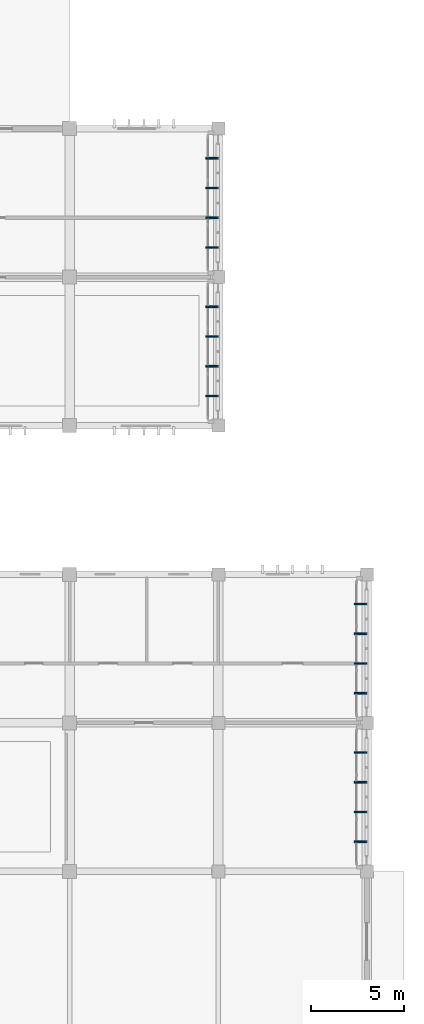
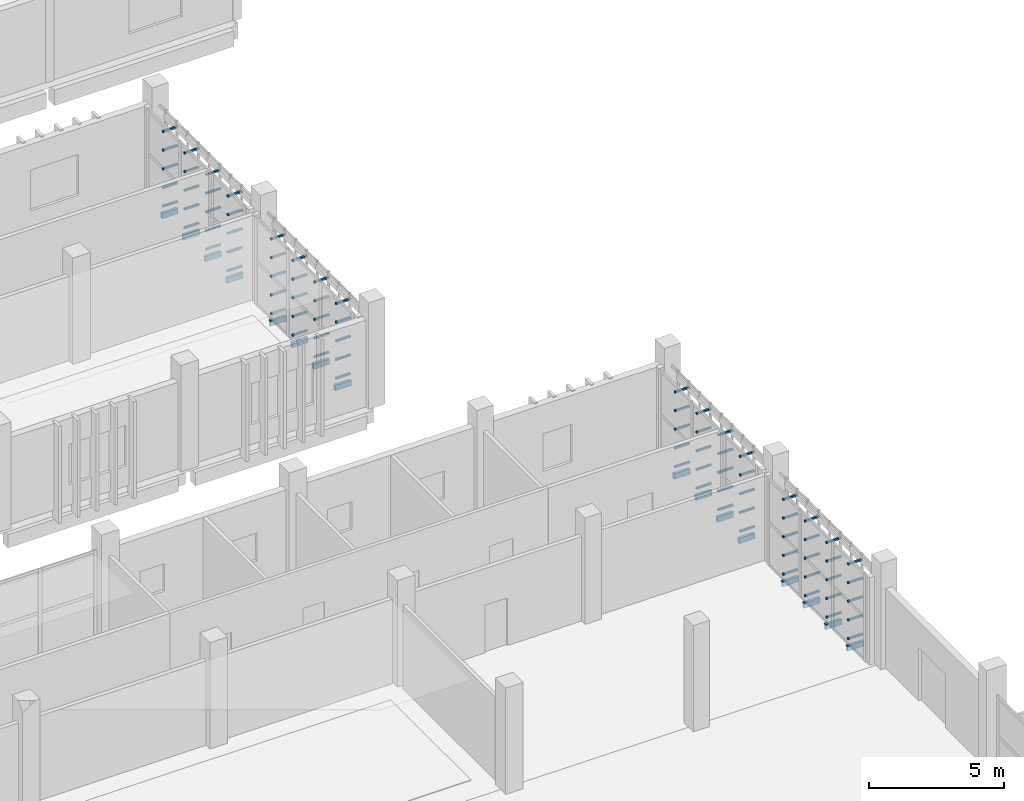
# One storey, part 103 of 117: 96 discrete accessories.
"""IFC4 building model written with IfcOpenShell, lengths in metres."""

from ifc_helpers import new_model, si_unit, direction, frame, origin, origin_2d, place, context, subcontext, project, spatial, rectangle, extrude, material, type_object, element, save


model = new_model("IFC4")

# Units and contexts
model_context = context("Model", 3, precision=1e-05, world=origin(), true_north=direction((0.0, 1.0)))
body_context = subcontext(model_context, "Body", "Model", "MODEL_VIEW")
ifc_project = project(units=[si_unit("LENGTHUNIT", "METRE"), si_unit("AREAUNIT", "SQUARE_METRE"), si_unit("VOLUMEUNIT", "CUBIC_METRE"), si_unit("PLANEANGLEUNIT", "RADIAN"), si_unit("MASSUNIT", "GRAM", prefix="KILO")], contexts=[model_context])

# Site, building, storey
site_placement = place(None, origin())
site = spatial("IfcSite", under=ifc_project, at=site_placement, CompositionType="ELEMENT")
building_placement = place(site_placement, origin())
building = spatial("IfcBuilding", under=site, at=building_placement, Name="Jelvoka-Kovrelna Polytechnic", CompositionType="ELEMENT")
storey_placement = place(building_placement, origin())
storey = spatial("IfcBuildingStorey", under=building, at=storey_placement, Name="L01", CompositionType="ELEMENT", Elevation=0.0)

# Discrete accessories
ifc_material = material(Name="Structural steel S355JR", Category="steel")
discrete_accessory_type = type_object("IfcDiscreteAccessoryType", Name="Bracket_Outrigger_S355", PredefinedType="BRACKET", material=ifc_material)
discrete_accessory_1_placement = place(storey_placement, frame((199.679931640625, 33.60009765625, 0.280029296875), z_axis=(0.0, 0.0, 1.0), x_axis=(1.0, 0.0, 0.0)))
element("IfcDiscreteAccessory", 1, at=discrete_accessory_1_placement, inside=storey, type_object=discrete_accessory_type, Name="L01 screen outrigger tie bracket BRKM-PLT-SCR-0461", PredefinedType="BRACKET", context=body_context, shape_type="SweptSolid", body=[
    extrude(rectangle(XDim=0.639892578125, YDim=0.080078125, at=origin_2d()), origin(), (0.0, 0.0, 1.0), 0.080078125),
])
discrete_accessory_2_placement = place(storey_placement, frame((199.659912109375, 33.60009765625, -0.2001953125), z_axis=(0.0, 0.0, 1.0), x_axis=(1.0, 0.0, 0.0)))
element("IfcDiscreteAccessory", 2, at=discrete_accessory_2_placement, inside=storey, type_object=discrete_accessory_type, Name="L01 screen outrigger tie bracket BRK-PLT-SCR-0461", PredefinedType="BRACKET", context=body_context, shape_type="SweptSolid", body=[
    extrude(rectangle(XDim=0.679931640625, YDim=0.1201171875, at=origin_2d()), origin(), (0.0, 0.0, 1.0), 0.239990234375),
])
for number, where, z_axis, x_axis, name in (
    (3, (199.679931640625, 33.60009765625, 1.12255859375), (0.0, 0.0, 1.0), (1.0, 0.0, 0.0), "L01 screen outrigger tie bracket BRKM-PLT-SCR-0462"),
    (4, (199.679931640625, 33.60009765625, 1.96484375), (0.0, 0.0, 1.0), (1.0, 0.0, 0.0), "L01 screen outrigger tie bracket BRKM-PLT-SCR-0463"),
    (5, (199.679931640625, 33.60009765625, 2.807373046875), (0.0, 0.0, 1.0), (1.0, 0.0, 0.0), "L01 screen outrigger tie bracket BRKM-PLT-SCR-0464"),
    (6, (199.679931640625, 33.60009765625, 3.64990234375), (0.0, 0.0, 1.0), (1.0, 0.0, 0.0), "L01 screen outrigger tie bracket BRKM-PLT-SCR-0465"),
    (7, (199.679931640625, 35.199951171875, 0.280029296875), (0.0, 0.0, 1.0), (1.0, 0.0, 0.0), "L01 screen outrigger tie bracket BRKM-PLT-SCR-0466"),
):
    element("IfcDiscreteAccessory", number, at=place(storey_placement, frame(where, z_axis=z_axis, x_axis=x_axis)), inside=storey, type_object=discrete_accessory_type, Name=name, PredefinedType="BRACKET", context=body_context, shape_type="SweptSolid", body=[
        extrude(rectangle(XDim=0.639892578125, YDim=0.080078125, at=origin_2d()), origin(), (0.0, 0.0, 1.0), 0.080078125),
    ])
discrete_accessory_3_placement = place(storey_placement, frame((199.659912109375, 35.199951171875, -0.2001953125), z_axis=(0.0, 0.0, 1.0), x_axis=(1.0, 0.0, 0.0)))
element("IfcDiscreteAccessory", 8, at=discrete_accessory_3_placement, inside=storey, type_object=discrete_accessory_type, Name="L01 screen outrigger tie bracket BRK-PLT-SCR-0466", PredefinedType="BRACKET", context=body_context, shape_type="SweptSolid", body=[
    extrude(rectangle(XDim=0.679931640625, YDim=0.1201171875, at=origin_2d()), origin(), (0.0, 0.0, 1.0), 0.239990234375),
])
for number, where, z_axis, x_axis, name in (
    (9, (199.679931640625, 35.199951171875, 1.12255859375), (0.0, 0.0, 1.0), (1.0, 0.0, 0.0), "L01 screen outrigger tie bracket BRKM-PLT-SCR-0467"),
    (10, (199.679931640625, 35.199951171875, 1.96484375), (0.0, 0.0, 1.0), (1.0, 0.0, 0.0), "L01 screen outrigger tie bracket BRKM-PLT-SCR-0468"),
    (11, (199.679931640625, 35.199951171875, 2.807373046875), (0.0, 0.0, 1.0), (1.0, 0.0, 0.0), "L01 screen outrigger tie bracket BRKM-PLT-SCR-0469"),
    (12, (199.679931640625, 35.199951171875, 3.64990234375), (0.0, 0.0, 1.0), (1.0, 0.0, 0.0), "L01 screen outrigger tie bracket BRKM-PLT-SCR-0470"),
    (13, (199.679931640625, 36.800048828125, 0.280029296875), (0.0, 0.0, 1.0), (1.0, 0.0, 0.0), "L01 screen outrigger tie bracket BRKM-PLT-SCR-0471"),
):
    element("IfcDiscreteAccessory", number, at=place(storey_placement, frame(where, z_axis=z_axis, x_axis=x_axis)), inside=storey, type_object=discrete_accessory_type, Name=name, PredefinedType="BRACKET", context=body_context, shape_type="SweptSolid", body=[
        extrude(rectangle(XDim=0.639892578125, YDim=0.080078125, at=origin_2d()), origin(), (0.0, 0.0, 1.0), 0.080078125),
    ])
discrete_accessory_4_placement = place(storey_placement, frame((199.659912109375, 36.800048828125, -0.2001953125), z_axis=(0.0, 0.0, 1.0), x_axis=(1.0, 0.0, 0.0)))
element("IfcDiscreteAccessory", 14, at=discrete_accessory_4_placement, inside=storey, type_object=discrete_accessory_type, Name="L01 screen outrigger tie bracket BRK-PLT-SCR-0471", PredefinedType="BRACKET", context=body_context, shape_type="SweptSolid", body=[
    extrude(rectangle(XDim=0.679931640625, YDim=0.1201171875, at=origin_2d()), origin(), (0.0, 0.0, 1.0), 0.239990234375),
])
for number, where, z_axis, x_axis, name in (
    (15, (199.679931640625, 36.800048828125, 1.12255859375), (0.0, 0.0, 1.0), (1.0, 0.0, 0.0), "L01 screen outrigger tie bracket BRKM-PLT-SCR-0472"),
    (16, (199.679931640625, 36.800048828125, 1.96484375), (0.0, 0.0, 1.0), (1.0, 0.0, 0.0), "L01 screen outrigger tie bracket BRKM-PLT-SCR-0473"),
    (17, (199.679931640625, 36.800048828125, 2.807373046875), (0.0, 0.0, 1.0), (1.0, 0.0, 0.0), "L01 screen outrigger tie bracket BRKM-PLT-SCR-0474"),
    (18, (199.679931640625, 36.800048828125, 3.64990234375), (0.0, 0.0, 1.0), (1.0, 0.0, 0.0), "L01 screen outrigger tie bracket BRKM-PLT-SCR-0475"),
    (19, (199.679931640625, 38.39990234375, 0.280029296875), (0.0, 0.0, 1.0), (1.0, 0.0, 0.0), "L01 screen outrigger tie bracket BRKM-PLT-SCR-0476"),
):
    element("IfcDiscreteAccessory", number, at=place(storey_placement, frame(where, z_axis=z_axis, x_axis=x_axis)), inside=storey, type_object=discrete_accessory_type, Name=name, PredefinedType="BRACKET", context=body_context, shape_type="SweptSolid", body=[
        extrude(rectangle(XDim=0.639892578125, YDim=0.080078125, at=origin_2d()), origin(), (0.0, 0.0, 1.0), 0.080078125),
    ])
discrete_accessory_5_placement = place(storey_placement, frame((199.659912109375, 38.39990234375, -0.2001953125), z_axis=(0.0, 0.0, 1.0), x_axis=(1.0, 0.0, 0.0)))
element("IfcDiscreteAccessory", 20, at=discrete_accessory_5_placement, inside=storey, type_object=discrete_accessory_type, Name="L01 screen outrigger tie bracket BRK-PLT-SCR-0476", PredefinedType="BRACKET", context=body_context, shape_type="SweptSolid", body=[
    extrude(rectangle(XDim=0.679931640625, YDim=0.1201171875, at=origin_2d()), origin(), (0.0, 0.0, 1.0), 0.239990234375),
])
for number, where, z_axis, x_axis, name in (
    (21, (199.679931640625, 38.39990234375, 1.12255859375), (0.0, 0.0, 1.0), (1.0, 0.0, 0.0), "L01 screen outrigger tie bracket BRKM-PLT-SCR-0477"),
    (22, (199.679931640625, 38.39990234375, 1.96484375), (0.0, 0.0, 1.0), (1.0, 0.0, 0.0), "L01 screen outrigger tie bracket BRKM-PLT-SCR-0478"),
    (23, (199.679931640625, 38.39990234375, 2.807373046875), (0.0, 0.0, 1.0), (1.0, 0.0, 0.0), "L01 screen outrigger tie bracket BRKM-PLT-SCR-0479"),
    (24, (199.679931640625, 38.39990234375, 3.64990234375), (0.0, 0.0, 1.0), (1.0, 0.0, 0.0), "L01 screen outrigger tie bracket BRKM-PLT-SCR-0480"),
    (25, (199.679931640625, 41.60009765625, 0.280029296875), (0.0, 0.0, 1.0), (1.0, 0.0, 0.0), "L01 screen outrigger tie bracket BRKM-PLT-SCR-0481"),
):
    element("IfcDiscreteAccessory", number, at=place(storey_placement, frame(where, z_axis=z_axis, x_axis=x_axis)), inside=storey, type_object=discrete_accessory_type, Name=name, PredefinedType="BRACKET", context=body_context, shape_type="SweptSolid", body=[
        extrude(rectangle(XDim=0.639892578125, YDim=0.080078125, at=origin_2d()), origin(), (0.0, 0.0, 1.0), 0.080078125),
    ])
discrete_accessory_6_placement = place(storey_placement, frame((199.659912109375, 41.60009765625, -0.2001953125), z_axis=(0.0, 0.0, 1.0), x_axis=(1.0, 0.0, 0.0)))
element("IfcDiscreteAccessory", 26, at=discrete_accessory_6_placement, inside=storey, type_object=discrete_accessory_type, Name="L01 screen outrigger tie bracket BRK-PLT-SCR-0481", PredefinedType="BRACKET", context=body_context, shape_type="SweptSolid", body=[
    extrude(rectangle(XDim=0.679931640625, YDim=0.1201171875, at=origin_2d()), origin(), (0.0, 0.0, 1.0), 0.239990234375),
])
for number, where, z_axis, x_axis, name in (
    (27, (199.679931640625, 41.60009765625, 1.12255859375), (0.0, 0.0, 1.0), (1.0, 0.0, 0.0), "L01 screen outrigger tie bracket BRKM-PLT-SCR-0482"),
    (28, (199.679931640625, 41.60009765625, 1.96484375), (0.0, 0.0, 1.0), (1.0, 0.0, 0.0), "L01 screen outrigger tie bracket BRKM-PLT-SCR-0483"),
    (29, (199.679931640625, 41.60009765625, 2.807373046875), (0.0, 0.0, 1.0), (1.0, 0.0, 0.0), "L01 screen outrigger tie bracket BRKM-PLT-SCR-0484"),
    (30, (199.679931640625, 41.60009765625, 3.64990234375), (0.0, 0.0, 1.0), (1.0, 0.0, 0.0), "L01 screen outrigger tie bracket BRKM-PLT-SCR-0485"),
    (31, (199.679931640625, 43.199951171875, 0.280029296875), (0.0, 0.0, 1.0), (1.0, 0.0, 0.0), "L01 screen outrigger tie bracket BRKM-PLT-SCR-0486"),
):
    element("IfcDiscreteAccessory", number, at=place(storey_placement, frame(where, z_axis=z_axis, x_axis=x_axis)), inside=storey, type_object=discrete_accessory_type, Name=name, PredefinedType="BRACKET", context=body_context, shape_type="SweptSolid", body=[
        extrude(rectangle(XDim=0.639892578125, YDim=0.080078125, at=origin_2d()), origin(), (0.0, 0.0, 1.0), 0.080078125),
    ])
discrete_accessory_7_placement = place(storey_placement, frame((199.659912109375, 43.199951171875, -0.2001953125), z_axis=(0.0, 0.0, 1.0), x_axis=(1.0, 0.0, 0.0)))
element("IfcDiscreteAccessory", 32, at=discrete_accessory_7_placement, inside=storey, type_object=discrete_accessory_type, Name="L01 screen outrigger tie bracket BRK-PLT-SCR-0486", PredefinedType="BRACKET", context=body_context, shape_type="SweptSolid", body=[
    extrude(rectangle(XDim=0.679931640625, YDim=0.1201171875, at=origin_2d()), origin(), (0.0, 0.0, 1.0), 0.239990234375),
])
for number, where, z_axis, x_axis, name in (
    (33, (199.679931640625, 43.199951171875, 1.12255859375), (0.0, 0.0, 1.0), (1.0, 0.0, 0.0), "L01 screen outrigger tie bracket BRKM-PLT-SCR-0487"),
    (34, (199.679931640625, 43.199951171875, 1.96484375), (0.0, 0.0, 1.0), (1.0, 0.0, 0.0), "L01 screen outrigger tie bracket BRKM-PLT-SCR-0488"),
    (35, (199.679931640625, 43.199951171875, 2.807373046875), (0.0, 0.0, 1.0), (1.0, 0.0, 0.0), "L01 screen outrigger tie bracket BRKM-PLT-SCR-0489"),
    (36, (199.679931640625, 43.199951171875, 3.64990234375), (0.0, 0.0, 1.0), (1.0, 0.0, 0.0), "L01 screen outrigger tie bracket BRKM-PLT-SCR-0490"),
    (37, (199.679931640625, 44.800048828125, 0.280029296875), (0.0, 0.0, 1.0), (1.0, 0.0, 0.0), "L01 screen outrigger tie bracket BRKM-PLT-SCR-0491"),
):
    element("IfcDiscreteAccessory", number, at=place(storey_placement, frame(where, z_axis=z_axis, x_axis=x_axis)), inside=storey, type_object=discrete_accessory_type, Name=name, PredefinedType="BRACKET", context=body_context, shape_type="SweptSolid", body=[
        extrude(rectangle(XDim=0.639892578125, YDim=0.080078125, at=origin_2d()), origin(), (0.0, 0.0, 1.0), 0.080078125),
    ])
discrete_accessory_8_placement = place(storey_placement, frame((199.659912109375, 44.800048828125, -0.2001953125), z_axis=(0.0, 0.0, 1.0), x_axis=(1.0, 0.0, 0.0)))
element("IfcDiscreteAccessory", 38, at=discrete_accessory_8_placement, inside=storey, type_object=discrete_accessory_type, Name="L01 screen outrigger tie bracket BRK-PLT-SCR-0491", PredefinedType="BRACKET", context=body_context, shape_type="SweptSolid", body=[
    extrude(rectangle(XDim=0.679931640625, YDim=0.1201171875, at=origin_2d()), origin(), (0.0, 0.0, 1.0), 0.239990234375),
])
for number, where, z_axis, x_axis, name in (
    (39, (199.679931640625, 44.800048828125, 1.12255859375), (0.0, 0.0, 1.0), (1.0, 0.0, 0.0), "L01 screen outrigger tie bracket BRKM-PLT-SCR-0492"),
    (40, (199.679931640625, 44.800048828125, 1.96484375), (0.0, 0.0, 1.0), (1.0, 0.0, 0.0), "L01 screen outrigger tie bracket BRKM-PLT-SCR-0493"),
    (41, (199.679931640625, 44.800048828125, 2.807373046875), (0.0, 0.0, 1.0), (1.0, 0.0, 0.0), "L01 screen outrigger tie bracket BRKM-PLT-SCR-0494"),
    (42, (199.679931640625, 44.800048828125, 3.64990234375), (0.0, 0.0, 1.0), (1.0, 0.0, 0.0), "L01 screen outrigger tie bracket BRKM-PLT-SCR-0495"),
    (43, (199.679931640625, 46.39990234375, 0.280029296875), (0.0, 0.0, 1.0), (1.0, 0.0, 0.0), "L01 screen outrigger tie bracket BRKM-PLT-SCR-0496"),
):
    element("IfcDiscreteAccessory", number, at=place(storey_placement, frame(where, z_axis=z_axis, x_axis=x_axis)), inside=storey, type_object=discrete_accessory_type, Name=name, PredefinedType="BRACKET", context=body_context, shape_type="SweptSolid", body=[
        extrude(rectangle(XDim=0.639892578125, YDim=0.080078125, at=origin_2d()), origin(), (0.0, 0.0, 1.0), 0.080078125),
    ])
discrete_accessory_9_placement = place(storey_placement, frame((199.659912109375, 46.39990234375, -0.2001953125), z_axis=(0.0, 0.0, 1.0), x_axis=(1.0, 0.0, 0.0)))
element("IfcDiscreteAccessory", 44, at=discrete_accessory_9_placement, inside=storey, type_object=discrete_accessory_type, Name="L01 screen outrigger tie bracket BRK-PLT-SCR-0496", PredefinedType="BRACKET", context=body_context, shape_type="SweptSolid", body=[
    extrude(rectangle(XDim=0.679931640625, YDim=0.1201171875, at=origin_2d()), origin(), (0.0, 0.0, 1.0), 0.239990234375),
])
for number, where, z_axis, x_axis, name in (
    (45, (199.679931640625, 46.39990234375, 1.12255859375), (0.0, 0.0, 1.0), (1.0, 0.0, 0.0), "L01 screen outrigger tie bracket BRKM-PLT-SCR-0497"),
    (46, (199.679931640625, 46.39990234375, 1.96484375), (0.0, 0.0, 1.0), (1.0, 0.0, 0.0), "L01 screen outrigger tie bracket BRKM-PLT-SCR-0498"),
    (47, (199.679931640625, 46.39990234375, 2.807373046875), (0.0, 0.0, 1.0), (1.0, 0.0, 0.0), "L01 screen outrigger tie bracket BRKM-PLT-SCR-0499"),
    (48, (199.679931640625, 46.39990234375, 3.64990234375), (0.0, 0.0, 1.0), (1.0, 0.0, 0.0), "L01 screen outrigger tie bracket BRKM-PLT-SCR-0500"),
    (49, (191.679931640625, 57.60009765625, 0.280029296875), (0.0, 0.0, 1.0), (1.0, 0.0, 0.0), "L01 screen outrigger tie bracket BRKM-PLT-SCR-0961"),
):
    element("IfcDiscreteAccessory", number, at=place(storey_placement, frame(where, z_axis=z_axis, x_axis=x_axis)), inside=storey, type_object=discrete_accessory_type, Name=name, PredefinedType="BRACKET", context=body_context, shape_type="SweptSolid", body=[
        extrude(rectangle(XDim=0.639892578125, YDim=0.080078125, at=origin_2d()), origin(), (0.0, 0.0, 1.0), 0.080078125),
    ])
discrete_accessory_10_placement = place(storey_placement, frame((191.659912109375, 57.60009765625, -0.2001953125), z_axis=(0.0, 0.0, 1.0), x_axis=(1.0, 0.0, 0.0)))
element("IfcDiscreteAccessory", 50, at=discrete_accessory_10_placement, inside=storey, type_object=discrete_accessory_type, Name="L01 screen outrigger tie bracket BRK-PLT-SCR-0961", PredefinedType="BRACKET", context=body_context, shape_type="SweptSolid", body=[
    extrude(rectangle(XDim=0.679931640625, YDim=0.1201171875, at=origin_2d()), origin(), (0.0, 0.0, 1.0), 0.239990234375),
])
for number, where, z_axis, x_axis, name in (
    (51, (191.679931640625, 57.60009765625, 1.12255859375), (0.0, 0.0, 1.0), (1.0, 0.0, 0.0), "L01 screen outrigger tie bracket BRKM-PLT-SCR-0962"),
    (52, (191.679931640625, 57.60009765625, 1.96484375), (0.0, 0.0, 1.0), (1.0, 0.0, 0.0), "L01 screen outrigger tie bracket BRKM-PLT-SCR-0963"),
    (53, (191.679931640625, 57.60009765625, 2.807373046875), (0.0, 0.0, 1.0), (1.0, 0.0, 0.0), "L01 screen outrigger tie bracket BRKM-PLT-SCR-0964"),
    (54, (191.679931640625, 57.60009765625, 3.64990234375), (0.0, 0.0, 1.0), (1.0, 0.0, 0.0), "L01 screen outrigger tie bracket BRKM-PLT-SCR-0965"),
    (55, (191.679931640625, 59.199951171875, 0.280029296875), (0.0, 0.0, 1.0), (1.0, 0.0, 0.0), "L01 screen outrigger tie bracket BRKM-PLT-SCR-0966"),
):
    element("IfcDiscreteAccessory", number, at=place(storey_placement, frame(where, z_axis=z_axis, x_axis=x_axis)), inside=storey, type_object=discrete_accessory_type, Name=name, PredefinedType="BRACKET", context=body_context, shape_type="SweptSolid", body=[
        extrude(rectangle(XDim=0.639892578125, YDim=0.080078125, at=origin_2d()), origin(), (0.0, 0.0, 1.0), 0.080078125),
    ])
discrete_accessory_11_placement = place(storey_placement, frame((191.659912109375, 59.199951171875, -0.2001953125), z_axis=(0.0, 0.0, 1.0), x_axis=(1.0, 0.0, 0.0)))
element("IfcDiscreteAccessory", 56, at=discrete_accessory_11_placement, inside=storey, type_object=discrete_accessory_type, Name="L01 screen outrigger tie bracket BRK-PLT-SCR-0966", PredefinedType="BRACKET", context=body_context, shape_type="SweptSolid", body=[
    extrude(rectangle(XDim=0.679931640625, YDim=0.1201171875, at=origin_2d()), origin(), (0.0, 0.0, 1.0), 0.239990234375),
])
for number, where, z_axis, x_axis, name in (
    (57, (191.679931640625, 59.199951171875, 1.12255859375), (0.0, 0.0, 1.0), (1.0, 0.0, 0.0), "L01 screen outrigger tie bracket BRKM-PLT-SCR-0967"),
    (58, (191.679931640625, 59.199951171875, 1.96484375), (0.0, 0.0, 1.0), (1.0, 0.0, 0.0), "L01 screen outrigger tie bracket BRKM-PLT-SCR-0968"),
    (59, (191.679931640625, 59.199951171875, 2.807373046875), (0.0, 0.0, 1.0), (1.0, 0.0, 0.0), "L01 screen outrigger tie bracket BRKM-PLT-SCR-0969"),
    (60, (191.679931640625, 59.199951171875, 3.64990234375), (0.0, 0.0, 1.0), (1.0, 0.0, 0.0), "L01 screen outrigger tie bracket BRKM-PLT-SCR-0970"),
    (61, (191.679931640625, 60.800048828125, 0.280029296875), (0.0, 0.0, 1.0), (1.0, 0.0, 0.0), "L01 screen outrigger tie bracket BRKM-PLT-SCR-0971"),
):
    element("IfcDiscreteAccessory", number, at=place(storey_placement, frame(where, z_axis=z_axis, x_axis=x_axis)), inside=storey, type_object=discrete_accessory_type, Name=name, PredefinedType="BRACKET", context=body_context, shape_type="SweptSolid", body=[
        extrude(rectangle(XDim=0.639892578125, YDim=0.080078125, at=origin_2d()), origin(), (0.0, 0.0, 1.0), 0.080078125),
    ])
discrete_accessory_12_placement = place(storey_placement, frame((191.659912109375, 60.800048828125, -0.2001953125), z_axis=(0.0, 0.0, 1.0), x_axis=(1.0, 0.0, 0.0)))
element("IfcDiscreteAccessory", 62, at=discrete_accessory_12_placement, inside=storey, type_object=discrete_accessory_type, Name="L01 screen outrigger tie bracket BRK-PLT-SCR-0971", PredefinedType="BRACKET", context=body_context, shape_type="SweptSolid", body=[
    extrude(rectangle(XDim=0.679931640625, YDim=0.1201171875, at=origin_2d()), origin(), (0.0, 0.0, 1.0), 0.239990234375),
])
for number, where, z_axis, x_axis, name in (
    (63, (191.679931640625, 60.800048828125, 1.12255859375), (0.0, 0.0, 1.0), (1.0, 0.0, 0.0), "L01 screen outrigger tie bracket BRKM-PLT-SCR-0972"),
    (64, (191.679931640625, 60.800048828125, 1.96484375), (0.0, 0.0, 1.0), (1.0, 0.0, 0.0), "L01 screen outrigger tie bracket BRKM-PLT-SCR-0973"),
    (65, (191.679931640625, 60.800048828125, 2.807373046875), (0.0, 0.0, 1.0), (1.0, 0.0, 0.0), "L01 screen outrigger tie bracket BRKM-PLT-SCR-0974"),
    (66, (191.679931640625, 60.800048828125, 3.64990234375), (0.0, 0.0, 1.0), (1.0, 0.0, 0.0), "L01 screen outrigger tie bracket BRKM-PLT-SCR-0975"),
    (67, (191.679931640625, 62.39990234375, 0.280029296875), (0.0, 0.0, 1.0), (1.0, 0.0, 0.0), "L01 screen outrigger tie bracket BRKM-PLT-SCR-0976"),
):
    element("IfcDiscreteAccessory", number, at=place(storey_placement, frame(where, z_axis=z_axis, x_axis=x_axis)), inside=storey, type_object=discrete_accessory_type, Name=name, PredefinedType="BRACKET", context=body_context, shape_type="SweptSolid", body=[
        extrude(rectangle(XDim=0.639892578125, YDim=0.080078125, at=origin_2d()), origin(), (0.0, 0.0, 1.0), 0.080078125),
    ])
discrete_accessory_13_placement = place(storey_placement, frame((191.659912109375, 62.39990234375, -0.2001953125), z_axis=(0.0, 0.0, 1.0), x_axis=(1.0, 0.0, 0.0)))
element("IfcDiscreteAccessory", 68, at=discrete_accessory_13_placement, inside=storey, type_object=discrete_accessory_type, Name="L01 screen outrigger tie bracket BRK-PLT-SCR-0976", PredefinedType="BRACKET", context=body_context, shape_type="SweptSolid", body=[
    extrude(rectangle(XDim=0.679931640625, YDim=0.1201171875, at=origin_2d()), origin(), (0.0, 0.0, 1.0), 0.239990234375),
])
for number, where, z_axis, x_axis, name in (
    (69, (191.679931640625, 62.39990234375, 1.12255859375), (0.0, 0.0, 1.0), (1.0, 0.0, 0.0), "L01 screen outrigger tie bracket BRKM-PLT-SCR-0977"),
    (70, (191.679931640625, 62.39990234375, 1.96484375), (0.0, 0.0, 1.0), (1.0, 0.0, 0.0), "L01 screen outrigger tie bracket BRKM-PLT-SCR-0978"),
    (71, (191.679931640625, 62.39990234375, 2.807373046875), (0.0, 0.0, 1.0), (1.0, 0.0, 0.0), "L01 screen outrigger tie bracket BRKM-PLT-SCR-0979"),
    (72, (191.679931640625, 62.39990234375, 3.64990234375), (0.0, 0.0, 1.0), (1.0, 0.0, 0.0), "L01 screen outrigger tie bracket BRKM-PLT-SCR-0980"),
    (73, (191.679931640625, 65.60009765625, 0.280029296875), (0.0, 0.0, 1.0), (1.0, 0.0, 0.0), "L01 screen outrigger tie bracket BRKM-PLT-SCR-0981"),
):
    element("IfcDiscreteAccessory", number, at=place(storey_placement, frame(where, z_axis=z_axis, x_axis=x_axis)), inside=storey, type_object=discrete_accessory_type, Name=name, PredefinedType="BRACKET", context=body_context, shape_type="SweptSolid", body=[
        extrude(rectangle(XDim=0.639892578125, YDim=0.080078125, at=origin_2d()), origin(), (0.0, 0.0, 1.0), 0.080078125),
    ])
discrete_accessory_14_placement = place(storey_placement, frame((191.659912109375, 65.60009765625, -0.2001953125), z_axis=(0.0, 0.0, 1.0), x_axis=(1.0, 0.0, 0.0)))
element("IfcDiscreteAccessory", 74, at=discrete_accessory_14_placement, inside=storey, type_object=discrete_accessory_type, Name="L01 screen outrigger tie bracket BRK-PLT-SCR-0981", PredefinedType="BRACKET", context=body_context, shape_type="SweptSolid", body=[
    extrude(rectangle(XDim=0.679931640625, YDim=0.1201171875, at=origin_2d()), origin(), (0.0, 0.0, 1.0), 0.239990234375),
])
for number, where, z_axis, x_axis, name in (
    (75, (191.679931640625, 65.60009765625, 1.12255859375), (0.0, 0.0, 1.0), (1.0, 0.0, 0.0), "L01 screen outrigger tie bracket BRKM-PLT-SCR-0982"),
    (76, (191.679931640625, 65.60009765625, 1.96484375), (0.0, 0.0, 1.0), (1.0, 0.0, 0.0), "L01 screen outrigger tie bracket BRKM-PLT-SCR-0983"),
    (77, (191.679931640625, 65.60009765625, 2.807373046875), (0.0, 0.0, 1.0), (1.0, 0.0, 0.0), "L01 screen outrigger tie bracket BRKM-PLT-SCR-0984"),
    (78, (191.679931640625, 65.60009765625, 3.64990234375), (0.0, 0.0, 1.0), (1.0, 0.0, 0.0), "L01 screen outrigger tie bracket BRKM-PLT-SCR-0985"),
    (79, (191.679931640625, 67.199951171875, 0.280029296875), (0.0, 0.0, 1.0), (1.0, 0.0, 0.0), "L01 screen outrigger tie bracket BRKM-PLT-SCR-0986"),
):
    element("IfcDiscreteAccessory", number, at=place(storey_placement, frame(where, z_axis=z_axis, x_axis=x_axis)), inside=storey, type_object=discrete_accessory_type, Name=name, PredefinedType="BRACKET", context=body_context, shape_type="SweptSolid", body=[
        extrude(rectangle(XDim=0.639892578125, YDim=0.080078125, at=origin_2d()), origin(), (0.0, 0.0, 1.0), 0.080078125),
    ])
discrete_accessory_15_placement = place(storey_placement, frame((191.659912109375, 67.199951171875, -0.2001953125), z_axis=(0.0, 0.0, 1.0), x_axis=(1.0, 0.0, 0.0)))
element("IfcDiscreteAccessory", 80, at=discrete_accessory_15_placement, inside=storey, type_object=discrete_accessory_type, Name="L01 screen outrigger tie bracket BRK-PLT-SCR-0986", PredefinedType="BRACKET", context=body_context, shape_type="SweptSolid", body=[
    extrude(rectangle(XDim=0.679931640625, YDim=0.1201171875, at=origin_2d()), origin(), (0.0, 0.0, 1.0), 0.239990234375),
])
for number, where, z_axis, x_axis, name in (
    (81, (191.679931640625, 67.199951171875, 1.12255859375), (0.0, 0.0, 1.0), (1.0, 0.0, 0.0), "L01 screen outrigger tie bracket BRKM-PLT-SCR-0987"),
    (82, (191.679931640625, 67.199951171875, 1.96484375), (0.0, 0.0, 1.0), (1.0, 0.0, 0.0), "L01 screen outrigger tie bracket BRKM-PLT-SCR-0988"),
    (83, (191.679931640625, 67.199951171875, 2.807373046875), (0.0, 0.0, 1.0), (1.0, 0.0, 0.0), "L01 screen outrigger tie bracket BRKM-PLT-SCR-0989"),
    (84, (191.679931640625, 67.199951171875, 3.64990234375), (0.0, 0.0, 1.0), (1.0, 0.0, 0.0), "L01 screen outrigger tie bracket BRKM-PLT-SCR-0990"),
    (85, (191.679931640625, 68.800048828125, 0.280029296875), (0.0, 0.0, 1.0), (1.0, 0.0, 0.0), "L01 screen outrigger tie bracket BRKM-PLT-SCR-0991"),
):
    element("IfcDiscreteAccessory", number, at=place(storey_placement, frame(where, z_axis=z_axis, x_axis=x_axis)), inside=storey, type_object=discrete_accessory_type, Name=name, PredefinedType="BRACKET", context=body_context, shape_type="SweptSolid", body=[
        extrude(rectangle(XDim=0.639892578125, YDim=0.080078125, at=origin_2d()), origin(), (0.0, 0.0, 1.0), 0.080078125),
    ])
discrete_accessory_16_placement = place(storey_placement, frame((191.659912109375, 68.800048828125, -0.2001953125), z_axis=(0.0, 0.0, 1.0), x_axis=(1.0, 0.0, 0.0)))
element("IfcDiscreteAccessory", 86, at=discrete_accessory_16_placement, inside=storey, type_object=discrete_accessory_type, Name="L01 screen outrigger tie bracket BRK-PLT-SCR-0991", PredefinedType="BRACKET", context=body_context, shape_type="SweptSolid", body=[
    extrude(rectangle(XDim=0.679931640625, YDim=0.1201171875, at=origin_2d()), origin(), (0.0, 0.0, 1.0), 0.239990234375),
])
for number, where, z_axis, x_axis, name in (
    (87, (191.679931640625, 68.800048828125, 1.12255859375), (0.0, 0.0, 1.0), (1.0, 0.0, 0.0), "L01 screen outrigger tie bracket BRKM-PLT-SCR-0992"),
    (88, (191.679931640625, 68.800048828125, 1.96484375), (0.0, 0.0, 1.0), (1.0, 0.0, 0.0), "L01 screen outrigger tie bracket BRKM-PLT-SCR-0993"),
    (89, (191.679931640625, 68.800048828125, 2.807373046875), (0.0, 0.0, 1.0), (1.0, 0.0, 0.0), "L01 screen outrigger tie bracket BRKM-PLT-SCR-0994"),
    (90, (191.679931640625, 68.800048828125, 3.64990234375), (0.0, 0.0, 1.0), (1.0, 0.0, 0.0), "L01 screen outrigger tie bracket BRKM-PLT-SCR-0995"),
    (91, (191.679931640625, 70.39990234375, 0.280029296875), (0.0, 0.0, 1.0), (1.0, 0.0, 0.0), "L01 screen outrigger tie bracket BRKM-PLT-SCR-0996"),
):
    element("IfcDiscreteAccessory", number, at=place(storey_placement, frame(where, z_axis=z_axis, x_axis=x_axis)), inside=storey, type_object=discrete_accessory_type, Name=name, PredefinedType="BRACKET", context=body_context, shape_type="SweptSolid", body=[
        extrude(rectangle(XDim=0.639892578125, YDim=0.080078125, at=origin_2d()), origin(), (0.0, 0.0, 1.0), 0.080078125),
    ])
discrete_accessory_17_placement = place(storey_placement, frame((191.659912109375, 70.39990234375, -0.2001953125), z_axis=(0.0, 0.0, 1.0), x_axis=(1.0, 0.0, 0.0)))
element("IfcDiscreteAccessory", 92, at=discrete_accessory_17_placement, inside=storey, type_object=discrete_accessory_type, Name="L01 screen outrigger tie bracket BRK-PLT-SCR-0996", PredefinedType="BRACKET", context=body_context, shape_type="SweptSolid", body=[
    extrude(rectangle(XDim=0.679931640625, YDim=0.1201171875, at=origin_2d()), origin(), (0.0, 0.0, 1.0), 0.239990234375),
])
for number, where, z_axis, x_axis, name in (
    (93, (191.679931640625, 70.39990234375, 1.12255859375), (0.0, 0.0, 1.0), (1.0, 0.0, 0.0), "L01 screen outrigger tie bracket BRKM-PLT-SCR-0997"),
    (94, (191.679931640625, 70.39990234375, 1.96484375), (0.0, 0.0, 1.0), (1.0, 0.0, 0.0), "L01 screen outrigger tie bracket BRKM-PLT-SCR-0998"),
    (95, (191.679931640625, 70.39990234375, 2.807373046875), (0.0, 0.0, 1.0), (1.0, 0.0, 0.0), "L01 screen outrigger tie bracket BRKM-PLT-SCR-0999"),
    (96, (191.679931640625, 70.39990234375, 3.64990234375), (0.0, 0.0, 1.0), (1.0, 0.0, 0.0), "L01 screen outrigger tie bracket BRKM-PLT-SCR-1000"),
):
    element("IfcDiscreteAccessory", number, at=place(storey_placement, frame(where, z_axis=z_axis, x_axis=x_axis)), inside=storey, type_object=discrete_accessory_type, Name=name, PredefinedType="BRACKET", context=body_context, shape_type="SweptSolid", body=[
        extrude(rectangle(XDim=0.639892578125, YDim=0.080078125, at=origin_2d()), origin(), (0.0, 0.0, 1.0), 0.080078125),
    ])

save(model, "model.ifc")
